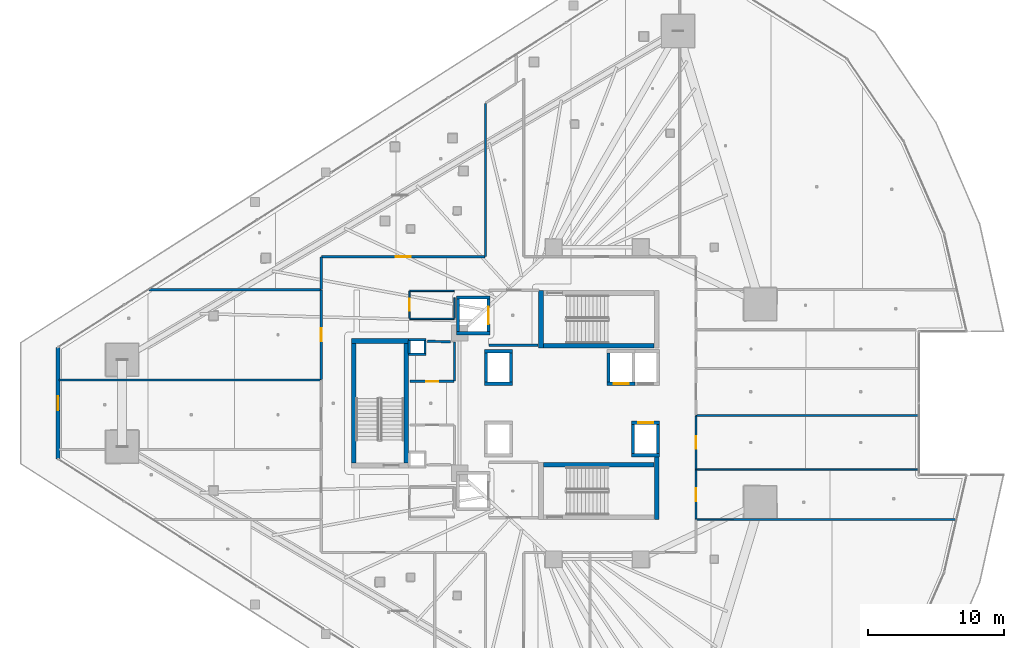
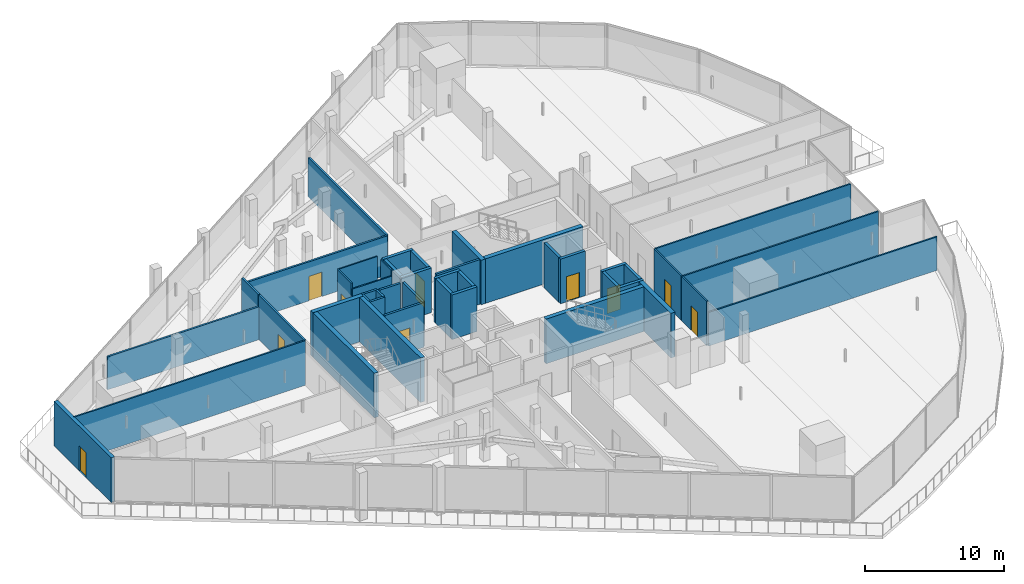
# One storey, part 38 of 52: 45 walls, 10 doors, 10 openings.
"""IFC4 building model written with IfcOpenShell, lengths in metres."""

from ifc_helpers import new_model, si_unit, direction, frame, frame_2d, origin, place, context, subcontext, project, spatial, rectangle, extrude, material, layer, layer_set, type_object, element, fill, save


model = new_model("IFC4")

# Units and contexts
model_context = context("Model", 3, precision=1e-05, world=origin(), true_north=direction((0.0, 1.0)))
body_context = subcontext(model_context, "Body", "Model", "MODEL_VIEW")
ifc_project = project(units=[si_unit("LENGTHUNIT", "METRE"), si_unit("AREAUNIT", "SQUARE_METRE"), si_unit("VOLUMEUNIT", "CUBIC_METRE"), si_unit("PLANEANGLEUNIT", "RADIAN"), si_unit("MASSUNIT", "GRAM", prefix="KILO")], contexts=[model_context])

# Site, building, storey
site_placement = place(None, origin())
site = spatial("IfcSite", under=ifc_project, at=site_placement, CompositionType="ELEMENT")
building_placement = place(site_placement, origin())
building = spatial("IfcBuilding", under=site, at=building_placement, Name="Qorvath Tower", CompositionType="ELEMENT")
storey_placement = place(building_placement, frame((0.0, 0.0, 61.800048828125)))
storey = spatial("IfcBuildingStorey", under=building, at=storey_placement, Name="L13", CompositionType="ELEMENT", Elevation=61.800048828125)

# Walls
ifc_material_1 = material(Name="Gypsum shaftliner on steel studs", Category="steel")
ifc_layer_1 = layer(ifc_material_1, 0.179931640625)
ifc_layer_set_1 = layer_set([ifc_layer_1], Name="FW-LOBBY")
wall_type_1 = type_object("IfcWallType", Name="FW-LOBBY", PredefinedType="PARTITIONING", material=ifc_layer_set_1)
for number, where, z_axis, x_axis, name in (
    (1, (-32.989990234375, 3.594970703125, 0.0), (0.0, 0.0, 1.0), (-1.0, 0.0, 0.0), "MEP Riser Shaft Enclosure Wall N-L13-S"),
    (2, (-34.260009765625, 4.675048828125, 0.0), (0.0, 0.0, 1.0), (1.0, 0.0, 0.0), "MEP Riser Shaft Enclosure Wall N-L13-N"),
):
    element("IfcWall", number, at=place(storey_placement, frame(where, z_axis=z_axis, x_axis=x_axis)), inside=storey, type_object=wall_type_1, Name=name, PredefinedType="PARTITIONING", context=body_context, shape_type="SweptSolid", body=[
        extrude(rectangle(XDim=1.27001953125, YDim=0.179931640625, at=frame_2d((0.635009765625, 0.0))), origin(), (0.0, 0.0, 1.0), 3.919921875),
    ])
for number, where, z_axis, x_axis, name in (
    (3, (-34.205078125, 3.659912109375, 0.0), (0.0, 0.0, 1.0), (0.0, 1.0, 0.0), "MEP Riser Shaft Enclosure Wall N-L13-W"),
    (4, (-33.044921875, 4.610107421875, 0.0), (0.0, 0.0, 1.0), (0.0, -1.0, 0.0), "MEP Riser Shaft Enclosure Wall N-L13-E"),
):
    element("IfcWall", number, at=place(storey_placement, frame(where, z_axis=z_axis, x_axis=x_axis)), inside=storey, type_object=wall_type_1, Name=name, PredefinedType="PARTITIONING", context=body_context, shape_type="SweptSolid", body=[
        extrude(rectangle(XDim=0.9501953125, YDim=0.179931640625, at=frame_2d((0.47509765625, 0.0))), origin(), (0.0, 0.0, 1.0), 3.919921875),
    ])
wall_1_placement = place(storey_placement, frame((-28.35498046875, 4.25, 0.0), z_axis=(0.0, 0.0, 1.0), x_axis=(1.0, 0.0, 0.0)))
element("IfcWall", 5, at=wall_1_placement, inside=storey, type_object=wall_type_1, Name="Interior Partition IW-T1-L13-001", PredefinedType="PARTITIONING", context=body_context, shape_type="SweptSolid", body=[
    extrude(rectangle(XDim=3.6220703125, YDim=0.179931640625, at=frame_2d((1.81103515625, 0.0))), origin(), (0.0, 0.0, 1.0), 3.919921875),
])

# Wall, opening, door
wall_2_placement = place(storey_placement, frame((-34.15478515625, 1.60009765625, 0.0), z_axis=(0.0, 0.0, 1.0), x_axis=(1.0, 0.0, 0.0)))
wall_2 = element("IfcWall", 6, at=wall_2_placement, inside=storey, type_object=wall_type_1, Name="Interior Partition IW-T1-L13-013", PredefinedType="PARTITIONING", context=body_context, shape_type="SweptSolid", body=[
    extrude(rectangle(XDim=3.25, YDim=0.179931640625, at=frame_2d((1.625, 0.0))), origin(), (0.0, 0.0, 1.0), 3.919921875),
])
opening_1_placement = place(wall_2_placement, frame((1.18505859375, 0.0, 0.0)))
opening_1 = element("IfcOpeningElement", 7, at=opening_1_placement, cuts=wall_2, Name="Opening D-T1-L13-03", PredefinedType="OPENING", context=body_context, shape_type="SweptSolid", body=[
    extrude(rectangle(XDim=0.8798828125, YDim=2.10009765625, at=frame_2d((0.43994140625, 1.050048828125))), frame((0.0, 0.10009765625, 0.0), z_axis=(0.0, -1.0, 0.0), x_axis=(1.0, 0.0, 0.0)), (0.0, 0.0, 1.0), 0.199951171875),
])
ifc_material_2 = material(Name="Painted galvanised hollow metal", Category="steel")
door_type_1 = type_object("IfcDoorType", Name="FD-60N", OperationType="NOTDEFINED", PredefinedType="DOOR", material=ifc_material_2)
door_1_placement = place(opening_1_placement, origin())
door_1 = element("IfcDoor", 8, at=door_1_placement, inside=storey, type_object=door_type_1, Name="Core telecom and comms room L13 Door D-T1-L13-03", OperationType="SINGLE_SWING_RIGHT", OverallHeight=2.10009765625, OverallWidth=0.8798828125, PredefinedType="DOOR", context=body_context, shape_type="SweptSolid", body=[
    extrude(rectangle(XDim=0.8798828125, YDim=2.10009765625, at=frame_2d((0.43994140625, 1.050048828125))), frame((0.0, 0.02490234375, 0.0), z_axis=(0.0, -1.0, 0.0), x_axis=(1.0, 0.0, 0.0)), (0.0, 0.0, 1.0), 0.050048828125),
])
fill(opening_1, door_1)

# Walls
wall_3_placement = place(storey_placement, frame((-30.8798828125, 1.625, 0.0), z_axis=(0.0, 0.0, 1.0), x_axis=(0.0, 1.0, 0.0)))
element("IfcWall", 9, at=wall_3_placement, inside=storey, type_object=wall_type_1, Name="Interior Partition IW-T1-L13-014", PredefinedType="PARTITIONING", context=body_context, shape_type="SweptSolid", body=[
    extrude(rectangle(XDim=2.860107421875, YDim=0.179931640625, at=frame_2d((1.43017578125, 0.0))), origin(), (0.0, 0.0, 1.0), 3.919921875),
])
wall_4_placement = place(storey_placement, frame((-31.1650390625, 4.5224609375, 0.0), z_axis=(0.0, 0.0, 1.0), x_axis=(-0.9999584918, 0.009111239105, 0.0)))
element("IfcWall", 10, at=wall_4_placement, inside=storey, type_object=wall_type_1, Name="Interior Partition IW-T1-L13-015", PredefinedType="PARTITIONING", context=body_context, shape_type="SweptSolid", body=[
    extrude(rectangle(XDim=1.71484375, YDim=0.179931640625, at=frame_2d((0.857421875, 0.0))), origin(), (0.0, 0.0, 1.0), 3.919921875),
])
ifc_material_3 = material(Name="Double acoustic gypsum board on steel studs", Category="steel")
ifc_layer_2 = layer(ifc_material_3, 0.159912109375)
ifc_layer_set_2 = layer_set([ifc_layer_2], Name="IW-ACOUSTIC-160")
wall_type_2 = type_object("IfcWallType", Name="IW-ACOUSTIC-160", PredefinedType="PARTITIONING", material=ifc_layer_set_2)
wall_5_placement = place(storey_placement, frame((-40.657958984375, 10.733154296875, 0.0), z_axis=(0.0, 0.0, 1.0), x_axis=(0.0, -1.0, 0.0)))
element("IfcWall", 11, at=wall_5_placement, inside=storey, type_object=wall_type_2, Name="Interior Partition IW-T1-L13-019", PredefinedType="PARTITIONING", context=body_context, shape_type="SweptSolid", body=[
    extrude(rectangle(XDim=2.378173828125, YDim=0.159912109375, at=frame_2d((1.18896484375, 0.0))), origin(), (0.0, 0.0, 1.0), 3.919921875),
])

# Wall, opening, door
wall_6_placement = place(storey_placement, frame((-40.633056640625, 10.758056640625, 0.0), z_axis=(0.0, 0.0, 1.0), x_axis=(1.0, 0.0, 0.0)))
wall_6 = element("IfcWall", 12, at=wall_6_placement, inside=storey, type_object=wall_type_2, Name="Interior Partition IW-T1-L13-020", PredefinedType="PARTITIONING", context=body_context, shape_type="SweptSolid", body=[
    extrude(rectangle(XDim=12.000244140625, YDim=0.159912109375, at=frame_2d((6.0, 0.0))), origin(), (0.0, 0.0, 1.0), 3.432861328125),
])
opening_2_placement = place(wall_6_placement, frame((5.4501953125, 0.0, 0.0)))
opening_2 = element("IfcOpeningElement", 13, at=opening_2_placement, cuts=wall_6, Name="Opening D-T1-L13-05", PredefinedType="OPENING", context=body_context, shape_type="SweptSolid", body=[
    extrude(rectangle(XDim=1.10009765625, YDim=2.14990234375, at=frame_2d((0.550048828125, 1.074951171875))), frame((0.0, 0.08984375, 0.0), z_axis=(0.0, -1.0, 0.0), x_axis=(1.0, 0.0, 0.0)), (0.0, 0.0, 1.0), 0.179931640625),
])
ifc_material_4 = material(Name="Anodised aluminium acoustic framed glass", Category="aluminium")
door_type_2 = type_object("IfcDoorType", Name="D-03", OperationType="NOTDEFINED", PredefinedType="DOOR", material=ifc_material_4)
door_2_placement = place(opening_2_placement, origin())
door_2 = element("IfcDoor", 14, at=door_2_placement, inside=storey, type_object=door_type_2, Name="L13-01 Client Services Office Door D-T1-L13-05", OperationType="SINGLE_SWING_RIGHT", OverallHeight=2.14990234375, OverallWidth=1.10009765625, PredefinedType="DOOR", context=body_context, shape_type="SweptSolid", body=[
    extrude(rectangle(XDim=1.10009765625, YDim=2.14990234375, at=frame_2d((0.550048828125, 1.074951171875))), frame((0.0, 0.02490234375, 0.0), z_axis=(0.0, -1.0, 0.0), x_axis=(1.0, 0.0, 0.0)), (0.0, 0.0, 1.0), 0.050048828125),
])
fill(opening_2, door_2)

# Walls
wall_7_placement = place(storey_placement, frame((-28.60791015625, 10.783203125, 0.0), z_axis=(0.0, 0.0, 1.0), x_axis=(0.0, 1.0, 0.0)))
element("IfcWall", 15, at=wall_7_placement, inside=storey, type_object=wall_type_2, Name="Interior Partition IW-T1-L13-021", PredefinedType="PARTITIONING", context=body_context, shape_type="SweptSolid", body=[
    extrude(rectangle(XDim=11.23095703125, YDim=0.159912109375, at=frame_2d((5.615478515625, 0.0))), origin(), (0.0, 0.0, 1.0), 3.432861328125),
])
wall_8_placement = place(storey_placement, frame((-53.304931640625, 8.330078125, 0.0), z_axis=(0.0, 0.0, 1.0), x_axis=(1.0, 0.0, 0.0)))
element("IfcWall", 16, at=wall_8_placement, inside=storey, type_object=wall_type_2, Name="Interior Partition IW-T1-L13-024", PredefinedType="PARTITIONING", context=body_context, shape_type="SweptSolid", body=[
    extrude(rectangle(XDim=12.621826171875, YDim=0.159912109375, at=frame_2d((6.31103515625, 0.0))), origin(), (0.0, 0.0, 1.0), 2.889892578125),
])

# Wall, opening, door
wall_9_placement = place(storey_placement, frame((-40.657958984375, 1.73583984375, 0.0), z_axis=(0.0, 0.0, 1.0), x_axis=(0.0, 1.0, 0.0)))
wall_9 = element("IfcWall", 17, at=wall_9_placement, inside=storey, type_object=wall_type_2, Name="Interior Partition IW-T1-L13-062", PredefinedType="PARTITIONING", context=body_context, shape_type="SweptSolid", body=[
    extrude(rectangle(XDim=6.561279296875, YDim=0.159912109375, at=frame_2d((3.28076171875, 0.0))), origin(), (0.0, 0.0, 1.0), 3.919921875),
])
opening_3_placement = place(wall_9_placement, frame((2.8056640625, 0.0, 0.0)))
opening_3 = element("IfcOpeningElement", 18, at=opening_3_placement, cuts=wall_9, Name="Opening D-T1-L13-18", PredefinedType="OPENING", context=body_context, shape_type="SweptSolid", body=[
    extrude(rectangle(XDim=0.949951171875, YDim=2.14990234375, at=frame_2d((0.47509765625, 1.074951171875))), frame((0.0, 0.08984375, 0.0), z_axis=(0.0, -1.0, 0.0), x_axis=(1.0, 0.0, 0.0)), (0.0, 0.0, 1.0), 0.179931640625),
])
ifc_material_5 = material(Name="Solid-core American white oak veneer", Category="wood")
door_type_3 = type_object("IfcDoorType", Name="D-01", OperationType="NOTDEFINED", PredefinedType="DOOR", material=ifc_material_5)
door_3_placement = place(opening_3_placement, origin())
door_3 = element("IfcDoor", 19, at=door_3_placement, inside=storey, type_object=door_type_3, Name="L13-14 Staff Wellness Studio Door D-T1-L13-18", OperationType="SINGLE_SWING_LEFT", OverallHeight=2.14990234375, OverallWidth=0.949951171875, PredefinedType="DOOR", context=body_context, shape_type="SweptSolid", body=[
    extrude(rectangle(XDim=0.949951171875, YDim=2.14990234375, at=frame_2d((0.47509765625, 1.074951171875))), frame((0.0, 0.02490234375, 0.0), z_axis=(0.0, -1.0, 0.0), x_axis=(1.0, 0.0, 0.0)), (0.0, 0.0, 1.0), 0.050048828125),
])
fill(opening_3, door_3)

# Walls
ifc_material_6 = material(Name="Gypsum board on metal studs with mineral wool", Category="gypsum")
ifc_layer_3 = layer(ifc_material_6, 0.125)
ifc_layer_set_3 = layer_set([ifc_layer_3], Name="IW-PART-125")
wall_type_3 = type_object("IfcWallType", Name="IW-PART-125", PredefinedType="PARTITIONING", material=ifc_layer_set_3)
wall_10_placement = place(storey_placement, frame((5.900390625, -8.534423828125, 0.0), z_axis=(0.0, 0.0, 1.0), x_axis=(-0.99999966248, -0.000821608021, 0.0)))
element("IfcWall", 20, at=wall_10_placement, inside=storey, type_object=wall_type_3, Name="Interior Partition IW-T1-L13-044", PredefinedType="PARTITIONING", context=body_context, shape_type="SweptSolid", body=[
    extrude(rectangle(XDim=19.017578125, YDim=0.125, at=frame_2d((9.5087890625, 0.0))), origin(), (0.0, 0.0, 1.0), 2.956787109375),
])
wall_11_placement = place(storey_placement, frame((3.139404296875, -4.87841796875, 0.0), z_axis=(0.0, 0.0, 1.0), x_axis=(-1.0, 0.0, 0.0)))
element("IfcWall", 21, at=wall_11_placement, inside=storey, type_object=wall_type_3, Name="Interior Partition IW-T1-L13-048", PredefinedType="PARTITIONING", context=body_context, shape_type="SweptSolid", body=[
    extrude(rectangle(XDim=16.256591796875, YDim=0.125, at=frame_2d((8.12841796875, 0.0))), origin(), (0.0, 0.0, 1.0), 3.919921875),
])

# Wall, opening, door
wall_12_placement = place(storey_placement, frame((-13.14208984375, -4.9033203125, 0.0), z_axis=(0.0, 0.0, 1.0), x_axis=(0.0, -1.0, 0.0)))
wall_12 = element("IfcWall", 22, at=wall_12_placement, inside=storey, type_object=wall_type_3, Name="Interior Partition IW-T1-L13-049", PredefinedType="PARTITIONING", context=body_context, shape_type="SweptSolid", body=[
    extrude(rectangle(XDim=3.61376953125, YDim=0.125, at=frame_2d((1.806884765625, 0.0))), origin(), (0.0, 0.0, 1.0), 3.919921875),
])
opening_4_placement = place(wall_12_placement, frame((1.331787109375, 0.0, 0.0)))
opening_4 = element("IfcOpeningElement", 23, at=opening_4_placement, cuts=wall_12, Name="Opening D-T1-L13-11", PredefinedType="OPENING", context=body_context, shape_type="SweptSolid", body=[
    extrude(rectangle(XDim=0.949951171875, YDim=2.14990234375, at=frame_2d((0.47509765625, 1.074951171875))), frame((0.0, 0.072509765625, 0.0), z_axis=(0.0, -1.0, 0.0), x_axis=(1.0, 0.0, 0.0)), (0.0, 0.0, 1.0), 0.14501953125),
])
door_4_placement = place(opening_4_placement, origin())
door_4 = element("IfcDoor", 24, at=door_4_placement, inside=storey, type_object=door_type_3, Name="L13-07 Engineering Documentation Suite Door D-T1-L13-11", OperationType="SINGLE_SWING_RIGHT", OverallHeight=2.14990234375, OverallWidth=0.949951171875, PredefinedType="DOOR", context=body_context, shape_type="SweptSolid", body=[
    extrude(rectangle(XDim=0.949951171875, YDim=2.14990234375, at=frame_2d((0.47509765625, 1.074951171875))), frame((0.0, 0.02490234375, 0.0), z_axis=(0.0, -1.0, 0.0), x_axis=(1.0, 0.0, 0.0)), (0.0, 0.0, 1.0), 0.050048828125),
])
fill(opening_4, door_4)

wall_13_placement = place(storey_placement, frame((-13.14208984375, -0.92529296875, 0.0), z_axis=(0.0, 0.0, 1.0), x_axis=(0.0, -1.0, 0.0)))
wall_13 = element("IfcWall", 25, at=wall_13_placement, inside=storey, type_object=wall_type_3, Name="Interior Partition IW-T1-L13-050", PredefinedType="PARTITIONING", context=body_context, shape_type="SweptSolid", body=[
    extrude(rectangle(XDim=3.920166015625, YDim=0.125, at=frame_2d((1.9599609375, 0.0))), origin(), (0.0, 0.0, 1.0), 3.919921875),
])
opening_5_placement = place(wall_13_placement, frame((1.485107421875, 0.0, 0.0)))
opening_5 = element("IfcOpeningElement", 26, at=opening_5_placement, cuts=wall_13, Name="Opening D-T1-L13-12", PredefinedType="OPENING", context=body_context, shape_type="SweptSolid", body=[
    extrude(rectangle(XDim=0.949951171875, YDim=2.14990234375, at=frame_2d((0.47509765625, 1.074951171875))), frame((0.0, 0.072509765625, 0.0), z_axis=(0.0, -1.0, 0.0), x_axis=(1.0, 0.0, 0.0)), (0.0, 0.0, 1.0), 0.14501953125),
])
door_5_placement = place(opening_5_placement, origin())
door_5 = element("IfcDoor", 27, at=door_5_placement, inside=storey, type_object=door_type_3, Name="L13-08 Open Workplace Studio Door D-T1-L13-12", OperationType="SINGLE_SWING_LEFT", OverallHeight=2.14990234375, OverallWidth=0.949951171875, PredefinedType="DOOR", context=body_context, shape_type="SweptSolid", body=[
    extrude(rectangle(XDim=0.949951171875, YDim=2.14990234375, at=frame_2d((0.47509765625, 1.074951171875))), frame((0.0, 0.02490234375, 0.0), z_axis=(0.0, -1.0, 0.0), x_axis=(1.0, 0.0, 0.0)), (0.0, 0.0, 1.0), 0.050048828125),
])
fill(opening_5, door_5)

# Walls
wall_14_placement = place(storey_placement, frame((3.139404296875, -0.900390625, 0.0), z_axis=(0.0, 0.0, 1.0), x_axis=(-1.0, 0.0, 0.0)))
element("IfcWall", 28, at=wall_14_placement, inside=storey, type_object=wall_type_3, Name="Interior Partition IW-T1-L13-051", PredefinedType="PARTITIONING", context=body_context, shape_type="SweptSolid", body=[
    extrude(rectangle(XDim=16.256591796875, YDim=0.125, at=frame_2d((8.12841796875, 0.0))), origin(), (0.0, 0.0, 1.0), 3.919921875),
])
wall_15_placement = place(storey_placement, frame((-40.68310546875, 1.702880859375, 0.0), z_axis=(0.0, 0.0, 1.0), x_axis=(-1.0, 0.0, 0.0)))
element("IfcWall", 29, at=wall_15_placement, inside=storey, type_object=wall_type_3, Name="Interior Partition IW-T1-L13-061", PredefinedType="PARTITIONING", context=body_context, shape_type="SweptSolid", body=[
    extrude(rectangle(XDim=19.2353515625, YDim=0.125, at=frame_2d((9.61767578125, 0.0))), origin(), (0.0, 0.0, 1.0), 3.919921875),
])

# Wall, opening, door
ifc_material_7 = material(Name="Moisture-resistant cement board on metal studs", Category="gypsum")
ifc_layer_4 = layer(ifc_material_7, 0.110107421875)
ifc_layer_set_4 = layer_set([ifc_layer_4], Name="IW-WC-110")
wall_type_4 = type_object("IfcWallType", Name="IW-WC-110", PredefinedType="PARTITIONING", material=ifc_layer_set_4)
wall_16_placement = place(storey_placement, frame((-34.179931640625, 8.22509765625, 0.0), z_axis=(0.0, 0.0, 1.0), x_axis=(0.0, -1.0, 0.0)))
wall_16 = element("IfcWall", 30, at=wall_16_placement, inside=storey, type_object=wall_type_4, Name="Interior Partition IW-T1-L13-005", PredefinedType="PARTITIONING", context=body_context, shape_type="SweptSolid", body=[
    extrude(rectangle(XDim=2.0, YDim=0.110107421875, at=frame_2d((1.0, 0.0))), origin(), (0.0, 0.0, 1.0), 3.919921875),
])
opening_6_placement = place(wall_16_placement, frame((0.56005859375, 0.0, 0.0)))
opening_6 = element("IfcOpeningElement", 31, at=opening_6_placement, cuts=wall_16, Name="Opening D-T1-L13-01", PredefinedType="OPENING", context=body_context, shape_type="SweptSolid", body=[
    extrude(rectangle(XDim=0.8798828125, YDim=2.10009765625, at=frame_2d((0.43994140625, 1.050048828125))), frame((0.0, 0.06494140625, 0.0), z_axis=(0.0, -1.0, 0.0), x_axis=(1.0, 0.0, 0.0)), (0.0, 0.0, 1.0), 0.130126953125),
])
ifc_material_8 = material(Name="Solid-core oak with acoustic drop seal", Category="wood")
door_type_4 = type_object("IfcDoorType", Name="D-02", OperationType="NOTDEFINED", PredefinedType="DOOR", material=ifc_material_8)
door_6_placement = place(opening_6_placement, origin())
door_6 = element("IfcDoor", 32, at=door_6_placement, inside=storey, type_object=door_type_4, Name="WC All-Gender North L13 Door D-T1-L13-01", OperationType="SINGLE_SWING_RIGHT", OverallHeight=2.10009765625, OverallWidth=0.8798828125, PredefinedType="DOOR", context=body_context, shape_type="SweptSolid", body=[
    extrude(rectangle(XDim=0.8798828125, YDim=2.10009765625, at=frame_2d((0.43994140625, 1.050048828125))), frame((0.0, 0.02490234375, 0.0), z_axis=(0.0, -1.0, 0.0), x_axis=(1.0, 0.0, 0.0)), (0.0, 0.0, 1.0), 0.050048828125),
])
fill(opening_6, door_6)

# Walls
wall_17_placement = place(storey_placement, frame((-34.15478515625, 6.199951171875, 0.0), z_axis=(0.0, 0.0, 1.0), x_axis=(1.0, 0.0, 0.0)))
element("IfcWall", 33, at=wall_17_placement, inside=storey, type_object=wall_type_4, Name="Interior Partition IW-T1-L13-006", PredefinedType="PARTITIONING", context=body_context, shape_type="SweptSolid", body=[
    extrude(rectangle(XDim=3.25, YDim=0.110107421875, at=frame_2d((1.625, 0.0))), origin(), (0.0, 0.0, 1.0), 3.432861328125),
])
wall_18_placement = place(storey_placement, frame((-30.8798828125, 6.22509765625, 0.0), z_axis=(0.0, 0.0, 1.0), x_axis=(0.0, 1.0, 0.0)))
element("IfcWall", 34, at=wall_18_placement, inside=storey, type_object=wall_type_4, Name="Interior Partition IW-T1-L13-007", PredefinedType="PARTITIONING", context=body_context, shape_type="SweptSolid", body=[
    extrude(rectangle(XDim=1.517822265625, YDim=0.110107421875, at=frame_2d((0.7587890625, 0.0))), origin(), (0.0, 0.0, 1.0), 3.919921875),
])
wall_19_placement = place(storey_placement, frame((-30.90478515625, 8.25, 0.0), z_axis=(0.0, 0.0, 1.0), x_axis=(-1.0, 0.0, 0.0)))
element("IfcWall", 35, at=wall_19_placement, inside=storey, type_object=wall_type_4, Name="Interior Partition IW-T1-L13-008", PredefinedType="PARTITIONING", context=body_context, shape_type="SweptSolid", body=[
    extrude(rectangle(XDim=3.25, YDim=0.110107421875, at=frame_2d((1.625, 0.0))), origin(), (0.0, 0.0, 1.0), 3.919921875),
])
ifc_material_9 = material(Name="Concrete C60/75", Category="concrete")
ifc_layer_5 = layer(ifc_material_9, 0.260009765625)
ifc_layer_set_5 = layer_set([ifc_layer_5], Name="SW-SHAFT")
wall_type_5 = type_object("IfcWallType", Name="SW-SHAFT", PredefinedType="SHEAR", material=ifc_layer_set_5)
for number, where, z_axis, x_axis, name in (
    (36, (-28.260009765625, 5.1298828125, 0.0), (0.0, 0.0, 1.0), (-1.0, 0.0, 0.0), "Hoistway Wall FSAE-1 L13 S"),
    (37, (-30.739990234375, 7.77001953125, 0.0), (0.0, 0.0, 1.0), (1.0, 0.0, 0.0), "Hoistway Wall FSAE-1 L13 N"),
):
    element("IfcWall", number, at=place(storey_placement, frame(where, z_axis=z_axis, x_axis=x_axis)), inside=storey, type_object=wall_type_5, Name=name, PredefinedType="SHEAR", context=body_context, shape_type="SweptSolid", body=[
        extrude(rectangle(XDim=2.47998046875, YDim=0.239990234375, at=frame_2d((1.239990234375, 0.0))), origin(), (0.0, 0.0, 1.0), 3.919921875),
    ])
wall_20_placement = place(storey_placement, frame((-30.6201171875, 5.261962890625, 0.0), z_axis=(0.0, 0.0, 1.0), x_axis=(0.0, 1.0, 0.0)))
element("IfcWall", 38, at=wall_20_placement, inside=storey, type_object=wall_type_5, Name="Hoistway Wall FSAE-1 L13 W", PredefinedType="SHEAR", context=body_context, shape_type="SweptSolid", body=[
    extrude(rectangle(XDim=2.3759765625, YDim=0.239990234375, at=frame_2d((1.18798828125, 0.0))), origin(), (0.0, 0.0, 1.0), 3.919921875),
])

# Wall, opening, door
wall_21_placement = place(storey_placement, frame((-28.3798828125, 7.637939453125, 0.0), z_axis=(0.0, 0.0, 1.0), x_axis=(0.0, -1.0, 0.0)))
wall_21 = element("IfcWall", 39, at=wall_21_placement, inside=storey, type_object=wall_type_5, Name="Hoistway Wall FSAE-1 L13 E", PredefinedType="SHEAR", context=body_context, shape_type="SweptSolid", body=[
    extrude(rectangle(XDim=2.3759765625, YDim=0.239990234375, at=frame_2d((1.18798828125, 0.0))), origin(), (0.0, 0.0, 1.0), 3.919921875),
])
opening_7_placement = place(wall_21_placement, frame((0.537841796875, 0.0, 0.0)))
opening_7 = element("IfcOpeningElement", 40, at=opening_7_placement, cuts=wall_21, Name="Opening LD-FSAE-1-L13", PredefinedType="OPENING", context=body_context, shape_type="SweptSolid", body=[
    extrude(rectangle(XDim=1.300048828125, YDim=2.300048828125, at=frame_2d((0.64990234375, 1.14990234375))), frame((0.0, 0.1298828125, 0.0), z_axis=(0.0, -1.0, 0.0), x_axis=(1.0, 0.0, 0.0)), (0.0, 0.0, 1.0), 0.260009765625),
])
ifc_material_10 = material(Name="Brushed stainless steel AISI 316", Category="steel")
door_type_5 = type_object("IfcDoorType", Name="LD-02", OperationType="NOTDEFINED", PredefinedType="DOOR", material=ifc_material_10)
door_7_placement = place(opening_7_placement, origin())
door_7 = element("IfcDoor", 41, at=door_7_placement, inside=storey, type_object=door_type_5, Name="Elevator Landing Sliding Door LD-FSAE-1-L13", OperationType="DOUBLE_DOOR_SLIDING", OverallHeight=2.300048828125, OverallWidth=1.300048828125, PredefinedType="DOOR", context=body_context, shape_type="SweptSolid", body=[
    extrude(rectangle(XDim=1.300048828125, YDim=2.300048828125, at=frame_2d((0.64990234375, 1.14990234375))), frame((0.0, 0.02490234375, 0.0), z_axis=(0.0, -1.0, 0.0), x_axis=(1.0, 0.0, 0.0)), (0.0, 0.0, 1.0), 0.050048828125),
])
fill(opening_7, door_7)

# Walls
for number, where, z_axis, x_axis, name in (
    (42, (-26.610107421875, 1.429931640625, 0.0), (0.0, 0.0, 1.0), (-1.0, 0.0, 0.0), "Hoistway Wall PS-1 L13 S"),
    (43, (-28.68994140625, 3.820068359375, 0.0), (0.0, 0.0, 1.0), (1.0, 0.0, 0.0), "Hoistway Wall PS-1 L13 N"),
):
    element("IfcWall", number, at=place(storey_placement, frame(where, z_axis=z_axis, x_axis=x_axis)), inside=storey, type_object=wall_type_5, Name=name, PredefinedType="SHEAR", context=body_context, shape_type="SweptSolid", body=[
        extrude(rectangle(XDim=2.079833984375, YDim=0.239990234375, at=frame_2d((1.0400390625, 0.0))), origin(), (0.0, 0.0, 1.0), 3.919921875),
    ])
for number, where, z_axis, x_axis, name in (
    (44, (-28.570068359375, 1.56201171875, 0.0), (0.0, 0.0, 1.0), (0.0, 1.0, 0.0), "Hoistway Wall PS-1 L13 W"),
    (45, (-26.72998046875, 3.68798828125, 0.0), (0.0, 0.0, 1.0), (0.0, -1.0, 0.0), "Hoistway Wall PS-1 L13 E"),
):
    element("IfcWall", number, at=place(storey_placement, frame(where, z_axis=z_axis, x_axis=x_axis)), inside=storey, type_object=wall_type_5, Name=name, PredefinedType="SHEAR", context=body_context, shape_type="SweptSolid", body=[
        extrude(rectangle(XDim=2.1259765625, YDim=0.239990234375, at=frame_2d((1.06298828125, 0.0))), origin(), (0.0, 0.0, 1.0), 3.919921875),
    ])

# Wall, opening, door
wall_22_placement = place(storey_placement, frame((-17.610107421875, 1.429931640625, 0.0), z_axis=(0.0, 0.0, 1.0), x_axis=(-1.0, 0.0, 0.0)))
wall_22 = element("IfcWall", 46, at=wall_22_placement, inside=storey, type_object=wall_type_5, Name="Hoistway Wall PL-1 L13 S", PredefinedType="SHEAR", context=body_context, shape_type="SweptSolid", body=[
    extrude(rectangle(XDim=2.079833984375, YDim=0.239990234375, at=frame_2d((1.0400390625, 0.0))), origin(), (0.0, 0.0, 1.0), 3.919921875),
])
opening_8_placement = place(wall_22_placement, frame((0.48974609375, 0.0, 0.0)))
opening_8 = element("IfcOpeningElement", 47, at=opening_8_placement, cuts=wall_22, Name="Opening LD-PL-1-L13", PredefinedType="OPENING", context=body_context, shape_type="SweptSolid", body=[
    extrude(rectangle(XDim=1.10009765625, YDim=2.199951171875, at=frame_2d((0.550048828125, 1.10009765625))), frame((0.0, 0.1298828125, 0.0), z_axis=(0.0, -1.0, 0.0), x_axis=(1.0, 0.0, 0.0)), (0.0, 0.0, 1.0), 0.260009765625),
])
ifc_material_11 = material(Name="Brushed stainless steel AISI 316", Category="steel")
door_type_6 = type_object("IfcDoorType", Name="LD-01", OperationType="NOTDEFINED", PredefinedType="DOOR", material=ifc_material_11)
door_8_placement = place(opening_8_placement, origin())
door_8 = element("IfcDoor", 48, at=door_8_placement, inside=storey, type_object=door_type_6, Name="Elevator Landing Sliding Door LD-PL-1-L13", OperationType="DOUBLE_DOOR_SLIDING", OverallHeight=2.199951171875, OverallWidth=1.10009765625, PredefinedType="DOOR", context=body_context, shape_type="SweptSolid", body=[
    extrude(rectangle(XDim=1.10009765625, YDim=2.199951171875, at=frame_2d((0.550048828125, 1.10009765625))), frame((0.0, 0.02490234375, 0.0), z_axis=(0.0, -1.0, 0.0), x_axis=(1.0, 0.0, 0.0)), (0.0, 0.0, 1.0), 0.050048828125),
])
fill(opening_8, door_8)

# Walls
wall_23_placement = place(storey_placement, frame((-19.570068359375, 1.56201171875, 0.0), z_axis=(0.0, 0.0, 1.0), x_axis=(0.0, 1.0, 0.0)))
element("IfcWall", 49, at=wall_23_placement, inside=storey, type_object=wall_type_5, Name="Hoistway Wall PL-1 L13 W", PredefinedType="SHEAR", context=body_context, shape_type="SweptSolid", body=[
    extrude(rectangle(XDim=2.1259765625, YDim=0.239990234375, at=frame_2d((1.06298828125, 0.0))), origin(), (0.0, 0.0, 1.0), 3.919921875),
])
wall_24_placement = place(storey_placement, frame((-15.81005859375, -3.820068359375, 0.0), z_axis=(0.0, 0.0, 1.0), x_axis=(-1.0, 0.0, 0.0)))
element("IfcWall", 50, at=wall_24_placement, inside=storey, type_object=wall_type_5, Name="Hoistway Wall PL-2 L13 S", PredefinedType="SHEAR", context=body_context, shape_type="SweptSolid", body=[
    extrude(rectangle(XDim=2.079833984375, YDim=0.239990234375, at=frame_2d((1.0400390625, 0.0))), origin(), (0.0, 0.0, 1.0), 3.919921875),
])

# Wall, opening, door
wall_25_placement = place(storey_placement, frame((-17.889892578125, -1.429931640625, 0.0), z_axis=(0.0, 0.0, 1.0), x_axis=(1.0, 0.0, 0.0)))
wall_25 = element("IfcWall", 51, at=wall_25_placement, inside=storey, type_object=wall_type_5, Name="Hoistway Wall PL-2 L13 N", PredefinedType="SHEAR", context=body_context, shape_type="SweptSolid", body=[
    extrude(rectangle(XDim=2.079833984375, YDim=0.239990234375, at=frame_2d((1.0400390625, 0.0))), origin(), (0.0, 0.0, 1.0), 3.919921875),
])
opening_9_placement = place(wall_25_placement, frame((0.48974609375, 0.0, 0.0)))
opening_9 = element("IfcOpeningElement", 52, at=opening_9_placement, cuts=wall_25, Name="Opening LD-PL-2-L13", PredefinedType="OPENING", context=body_context, shape_type="SweptSolid", body=[
    extrude(rectangle(XDim=1.10009765625, YDim=2.199951171875, at=frame_2d((0.550048828125, 1.10009765625))), frame((0.0, 0.1298828125, 0.0), z_axis=(0.0, -1.0, 0.0), x_axis=(1.0, 0.0, 0.0)), (0.0, 0.0, 1.0), 0.260009765625),
])
door_9_placement = place(opening_9_placement, origin())
door_9 = element("IfcDoor", 53, at=door_9_placement, inside=storey, type_object=door_type_6, Name="Elevator Landing Sliding Door LD-PL-2-L13", OperationType="DOUBLE_DOOR_SLIDING", OverallHeight=2.199951171875, OverallWidth=1.10009765625, PredefinedType="DOOR", context=body_context, shape_type="SweptSolid", body=[
    extrude(rectangle(XDim=1.10009765625, YDim=2.199951171875, at=frame_2d((0.550048828125, 1.10009765625))), frame((0.0, 0.02490234375, 0.0), z_axis=(0.0, -1.0, 0.0), x_axis=(1.0, 0.0, 0.0)), (0.0, 0.0, 1.0), 0.050048828125),
])
fill(opening_9, door_9)

# Walls
for number, where, z_axis, x_axis, name in (
    (54, (-17.77001953125, -3.68798828125, 0.0), (0.0, 0.0, 1.0), (0.0, 1.0, 0.0), "Hoistway Wall PL-2 L13 W"),
    (55, (-15.929931640625, -1.56201171875, 0.0), (0.0, 0.0, 1.0), (0.0, -1.0, 0.0), "Hoistway Wall PL-2 L13 E"),
):
    element("IfcWall", number, at=place(storey_placement, frame(where, z_axis=z_axis, x_axis=x_axis)), inside=storey, type_object=wall_type_5, Name=name, PredefinedType="SHEAR", context=body_context, shape_type="SweptSolid", body=[
        extrude(rectangle(XDim=2.1259765625, YDim=0.239990234375, at=frame_2d((1.06298828125, 0.0))), origin(), (0.0, 0.0, 1.0), 3.919921875),
    ])
ifc_material_12 = material(Name="Concrete C60/75", Category="concrete")
ifc_layer_6 = layer(ifc_material_12, 0.35009765625)
ifc_layer_set_6 = layer_set([ifc_layer_6], Name="SW-STAIR")
wall_type_6 = type_object("IfcWallType", Name="SW-STAIR", PredefinedType="SHEAR", material=ifc_layer_set_6)
wall_26_placement = place(storey_placement, frame((-24.52490234375, 8.260009765625, 0.0), z_axis=(0.0, 0.0, 1.0), x_axis=(0.0, -1.0, 0.0)))
element("IfcWall", 56, at=wall_26_placement, inside=storey, type_object=wall_type_6, Name="Stair TS1 Shear Wall L13 NEAR", PredefinedType="SHEAR", context=body_context, shape_type="SweptSolid", body=[
    extrude(rectangle(XDim=4.2099609375, YDim=0.35009765625, at=frame_2d((2.10498046875, 0.0))), origin(), (0.0, 0.0, 1.0), 3.919921875),
])
wall_27_placement = place(storey_placement, frame((-24.3349609375, 4.22509765625, 0.0), z_axis=(0.0, 0.0, 1.0), x_axis=(1.0, 0.0, 0.0)))
element("IfcWall", 57, at=wall_27_placement, inside=storey, type_object=wall_type_6, Name="Stair TS1 Shear Wall L13 LEFT", PredefinedType="SHEAR", context=body_context, shape_type="SweptSolid", body=[
    extrude(rectangle(XDim=8.119873046875, YDim=0.35009765625, at=frame_2d((4.06005859375, 0.0))), origin(), (0.0, 0.0, 1.0), 3.919921875),
])
wall_28_placement = place(storey_placement, frame((-16.02490234375, -8.550048828125, 0.0), z_axis=(0.0, 0.0, 1.0), x_axis=(0.0, 1.0, 0.0)))
element("IfcWall", 58, at=wall_28_placement, inside=storey, type_object=wall_type_6, Name="Stair TS2 Shear Wall L13 FAR", PredefinedType="SHEAR", context=body_context, shape_type="SweptSolid", body=[
    extrude(rectangle(XDim=4.610107421875, YDim=0.35009765625, at=frame_2d((2.30517578125, 0.0))), origin(), (0.0, 0.0, 1.0), 3.919921875),
])
wall_29_placement = place(storey_placement, frame((-16.215087890625, -4.514892578125, 0.0), z_axis=(0.0, 0.0, 1.0), x_axis=(-1.0, 0.0, 0.0)))
element("IfcWall", 59, at=wall_29_placement, inside=storey, type_object=wall_type_6, Name="Stair TS2 Shear Wall L13 RIGHT", PredefinedType="SHEAR", context=body_context, shape_type="SweptSolid", body=[
    extrude(rectangle(XDim=8.119873046875, YDim=0.35009765625, at=frame_2d((4.06005859375, 0.0))), origin(), (0.0, 0.0, 1.0), 3.919921875),
])
wall_30_placement = place(storey_placement, frame((-34.25, 4.574951171875, 0.0), z_axis=(0.0, 0.0, 1.0), x_axis=(-1.0, 0.0, 0.0)))
element("IfcWall", 60, at=wall_30_placement, inside=storey, type_object=wall_type_6, Name="Stair TS3 Shear Wall L13 FAR", PredefinedType="SHEAR", context=body_context, shape_type="SweptSolid", body=[
    extrude(rectangle(XDim=4.2099609375, YDim=0.35009765625, at=frame_2d((2.10498046875, 0.0))), origin(), (0.0, 0.0, 1.0), 3.919921875),
])
for number, where, z_axis, x_axis, name in (
    (61, (-34.425048828125, -4.385009765625, 0.0), (0.0, 0.0, 1.0), (0.0, 1.0, 0.0), "Stair TS3 Shear Wall L13 LEFT"),
    (62, (-38.284912109375, 4.385009765625, 0.0), (0.0, 0.0, 1.0), (0.0, -1.0, 0.0), "Stair TS3 Shear Wall L13 RIGHT"),
):
    element("IfcWall", number, at=place(storey_placement, frame(where, z_axis=z_axis, x_axis=x_axis)), inside=storey, type_object=wall_type_6, Name=name, PredefinedType="SHEAR", context=body_context, shape_type="SweptSolid", body=[
        extrude(rectangle(XDim=8.77001953125, YDim=0.35009765625, at=frame_2d((4.385009765625, 0.0))), origin(), (0.0, 0.0, 1.0), 3.919921875),
    ])

# Wall, opening, door
ifc_material_13 = material(Name="Precast concrete C45/55", Category="concrete")
ifc_layer_7 = layer(ifc_material_13, 0.300048828125)
ifc_layer_set_7 = layer_set([ifc_layer_7], Name="WL-EW-LOG-300")
wall_type_7 = type_object("IfcWallType", Name="WL-EW-LOG-300", PredefinedType="SOLIDWALL", material=ifc_layer_set_7)
wall_31_placement = place(storey_placement, frame((-59.998291015625, -4.103271484375, 0.0), z_axis=(0.0, 0.0, 1.0), x_axis=(0.0, 1.0, 0.0)))
wall_31 = element("IfcWall", 63, at=wall_31_placement, inside=storey, type_object=wall_type_7, Name="Tower Precast Loggia Wall L13-1.1", PredefinedType="SOLIDWALL", context=body_context, shape_type="SweptSolid", body=[
    extrude(rectangle(XDim=8.20654296875, YDim=0.300048828125, at=frame_2d((4.103271484375, 0.0))), origin(), (0.0, 0.0, 1.0), 3.919921875),
])
opening_10_placement = place(wall_31_placement, frame((3.578369140625, 0.0, 0.0)))
opening_10 = element("IfcOpeningElement", 64, at=opening_10_placement, cuts=wall_31, Name="Opening ED-L13-01", PredefinedType="OPENING", context=body_context, shape_type="SweptSolid", body=[
    extrude(rectangle(XDim=1.050048828125, YDim=2.199951171875, at=frame_2d((0.52490234375, 1.10009765625))), frame((0.0, 0.16015625, 0.0), z_axis=(0.0, -1.0, 0.0), x_axis=(1.0, 0.0, 0.0)), (0.0, 0.0, 1.0), 0.320068359375),
])
ifc_material_14 = material(Name="Thermally broken aluminium glazed door", Category="aluminium")
door_type_7 = type_object("IfcDoorType", Name="ED-LOG", OperationType="NOTDEFINED", PredefinedType="DOOR", material=ifc_material_14)
door_10_placement = place(opening_10_placement, origin())
door_10 = element("IfcDoor", 65, at=door_10_placement, inside=storey, type_object=door_type_7, Name="L13 Recessed Loggia Access Door 1", OperationType="SINGLE_SWING_RIGHT", OverallHeight=2.199951171875, OverallWidth=1.050048828125, PredefinedType="DOOR", context=body_context, shape_type="SweptSolid", body=[
    extrude(rectangle(XDim=1.050048828125, YDim=2.199951171875, at=frame_2d((0.52490234375, 1.10009765625))), frame((0.0, 0.02490234375, 0.0), z_axis=(0.0, -1.0, 0.0), x_axis=(1.0, 0.0, 0.0)), (0.0, 0.0, 1.0), 0.050048828125),
])
fill(opening_10, door_10)

save(model, "model.ifc")
